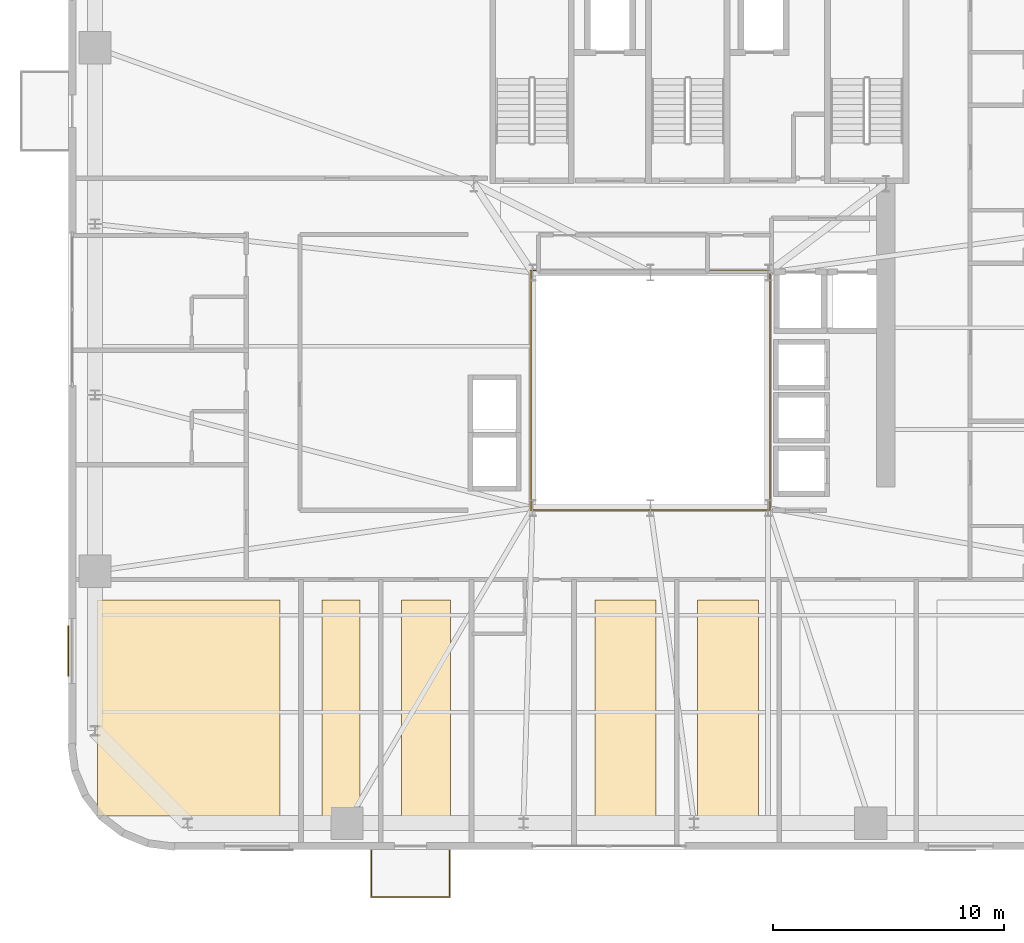
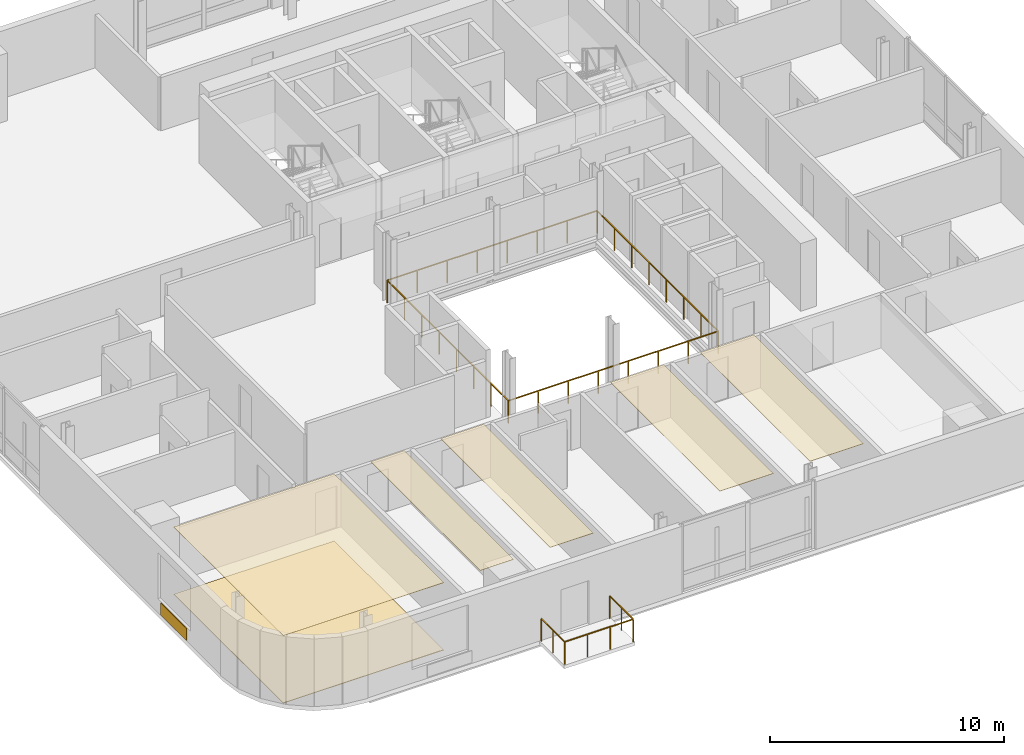
# One storey, part 12 of 16: 7 coverings, 2 railings.
"""IFC4 building model written with IfcOpenShell, lengths in metres."""

from ifc_helpers import new_model, si_unit, direction, frame, origin, origin_2d, place, context, subcontext, project, spatial, polyline, rectangle, outline, extrude, source, transform, mapped, material, layer, layer_set, type_object, element, save


model = new_model("IFC4")

# Units and contexts
model_context = context("Model", 3, precision=1e-05, world=origin(), true_north=direction((0.0, 1.0)))
body_context = subcontext(model_context, "Body", "Model", "MODEL_VIEW")
ifc_project = project(units=[si_unit("LENGTHUNIT", "METRE"), si_unit("AREAUNIT", "SQUARE_METRE"), si_unit("VOLUMEUNIT", "CUBIC_METRE"), si_unit("PLANEANGLEUNIT", "RADIAN"), si_unit("MASSUNIT", "GRAM", prefix="KILO")], contexts=[model_context])

# Site, building, storey
site_placement = place(None, origin())
site = spatial("IfcSite", under=ifc_project, at=site_placement, CompositionType="ELEMENT")
building_placement = place(site_placement, origin())
building = spatial("IfcBuilding", under=site, at=building_placement, Name="Vardaveli Station Tower", CompositionType="ELEMENT")
storey_placement = place(building_placement, frame((0.0, 0.0, 211.050048828125)))
storey = spatial("IfcBuildingStorey", under=building, at=storey_placement, Name="L54", CompositionType="ELEMENT", Elevation=211.050048828125)

# Coverings
ifc_material_1 = material(Name="Perforated acoustic mineral ceiling")
ifc_layer_1 = layer(ifc_material_1, 0.02001953125, Name="Perforated acoustic mineral ceiling")
ifc_layer_set_1 = layer_set([ifc_layer_1], Name="Perforated acoustic mineral ceiling")
covering_type_1 = type_object("IfcCoveringType", Name="COV-CEIL-AC20", PredefinedType="CEILING", material=ifc_layer_set_1)
covering_1_placement = place(storey_placement, frame((0.0, 0.0, 3.514892578125)))
element("IfcCovering", 1, at=covering_1_placement, inside=storey, type_object=covering_type_1, Name="CEIL-L54-1", PredefinedType="CEILING", context=body_context, shape_type="SweptSolid", body=[
    extrude(outline(polyline([(12.35009765625, 3.25), (20.27001953125, 3.25), (20.27001953125, 12.610107421875), (12.35009765625, 12.610107421875), (12.35009765625, 3.25)])), origin(), (0.0, 0.0, 1.0), 0.02001953125),
])
covering_2_placement = place(storey_placement, frame((0.0, 0.0, 3.514892578125)))
element("IfcCovering", 2, at=covering_2_placement, inside=storey, type_object=covering_type_1, Name="CEIL-L54-2", PredefinedType="CEILING", context=body_context, shape_type="SweptSolid", body=[
    extrude(outline(polyline([(22.070068359375, 3.25), (23.719970703125, 3.25), (23.719970703125, 12.610107421875), (22.070068359375, 12.610107421875), (22.070068359375, 3.25)])), origin(), (0.0, 0.0, 1.0), 0.02001953125),
])
covering_3_placement = place(storey_placement, frame((0.0, 0.0, 3.514892578125)))
element("IfcCovering", 3, at=covering_3_placement, inside=storey, type_object=covering_type_1, Name="CEIL-L54-3", PredefinedType="CEILING", context=body_context, shape_type="SweptSolid", body=[
    extrude(outline(polyline([(25.52001953125, 3.25), (27.6533203125, 3.25), (27.6533203125, 12.610107421875), (25.52001953125, 12.610107421875), (25.52001953125, 3.25)])), origin(), (0.0, 0.0, 1.0), 0.02001953125),
])
covering_4_placement = place(storey_placement, frame((0.0, 0.0, 3.514892578125)))
element("IfcCovering", 4, at=covering_4_placement, inside=storey, type_object=covering_type_1, Name="CEIL-L54-4", PredefinedType="CEILING", context=body_context, shape_type="SweptSolid", body=[
    extrude(outline(polyline([(33.89501953125, 3.25), (36.53662109375, 3.25), (36.53662109375, 12.610107421875), (33.89501953125, 12.610107421875), (33.89501953125, 3.25)])), origin(), (0.0, 0.0, 1.0), 0.02001953125),
])
covering_5_placement = place(storey_placement, frame((0.0, 0.0, 3.514892578125)))
element("IfcCovering", 5, at=covering_5_placement, inside=storey, type_object=covering_type_1, Name="CEIL-L54-5", PredefinedType="CEILING", context=body_context, shape_type="SweptSolid", body=[
    extrude(outline(polyline([(38.336669921875, 3.25), (40.978271484375, 3.25), (40.978271484375, 12.610107421875), (38.336669921875, 12.610107421875), (38.336669921875, 3.25)])), origin(), (0.0, 0.0, 1.0), 0.02001953125),
])
ifc_material_2 = material(Name="Honed Caucasian basalt and travertine flooring", Category="masonry")
ifc_layer_2 = layer(ifc_material_2, 0.030029296875, Name="Honed Caucasian basalt and travertine flooring")
ifc_layer_set_2 = layer_set([ifc_layer_2], Name="Honed Caucasian basalt and travertine flooring")
covering_type_2 = type_object("IfcCoveringType", Name="COV-FLOOR-ST30", PredefinedType="FLOORING", material=ifc_layer_set_2)
covering_6_placement = place(storey_placement, origin())
element("IfcCovering", 6, at=covering_6_placement, inside=storey, type_object=covering_type_2, Name="FLR-L54-1", PredefinedType="FLOORING", context=body_context, shape_type="SweptSolid", body=[
    extrude(outline(polyline([(12.35009765625, 3.25), (20.27001953125, 3.25), (20.27001953125, 12.610107421875), (12.35009765625, 12.610107421875), (12.35009765625, 3.25)])), origin(), (0.0, 0.0, 1.0), 0.030029296875),
])
ifc_material_3 = material(Name="Ventilated honed travertine stone cladding", Category="masonry")
ifc_layer_3 = layer(ifc_material_3, 0.044921875, Name="Ventilated honed travertine stone cladding")
ifc_layer_set_3 = layer_set([ifc_layer_3], Name="Ventilated honed travertine stone cladding")
covering_type_3 = type_object("IfcCoveringType", Name="COV-CLAD-TR45", PredefinedType="CLADDING", material=ifc_layer_set_3)
shared_shape_1 = source(origin(), body_context, "Body", "SweptSolid", [
    extrude(rectangle(XDim=2.199951171875, YDim=0.044921875, at=origin_2d()), origin(), (0.0, 0.0, 1.0), 0.6201171875),
])
covering_7_placement = place(storey_placement, frame((11.08544921875, 10.405029296875, 0.06982421875), z_axis=(0.0, 0.0, 1.0), x_axis=(0.0, 1.0, 0.0)))
element("IfcCovering", 7, at=covering_7_placement, inside=storey, type_object=covering_type_3, Name="CLD-TR-L54-W", PredefinedType="CLADDING", context=body_context, shape_type="MappedRepresentation", body=[
    mapped(shared_shape_1, transform((0.0, 0.0, 0.0), scale=1.0)),
])

# Railings
ifc_material_4 = material(Name="Laminated glass and stainless steel balustrade", Category="steel")
railing_type = type_object("IfcRailingType", Name="RL-BAL-1200", PredefinedType="BALUSTRADE", material=ifc_material_4)
shared_shape_2 = source(origin(), body_context, "Body", "SweptSolid", [
    extrude(rectangle(XDim=0.048095703125, YDim=0.048095703125, at=origin_2d()), frame((0.0, 0.0, 1.17578125), z_axis=(0.0, -1.0, 0.0), x_axis=(1.0, 0.0, 0.0)), (0.0, 0.0, 1.0), 2.0),
    extrude(rectangle(XDim=0.048095703125, YDim=0.048095703125, at=origin_2d()), frame((0.0, -2.0, 1.17578125), z_axis=(1.0, 0.0, 0.0), x_axis=(0.0, 1.0, 0.0)), (0.0, 0.0, 1.0), 3.3798828125),
    extrude(rectangle(XDim=0.048095703125, YDim=0.048095703125, at=origin_2d()), frame((3.3798828125, -2.0, 1.17578125), z_axis=(0.0, 1.0, 0.0), x_axis=(-1.0, 0.0, 0.0)), (0.0, 0.0, 1.0), 2.0),
    extrude(rectangle(XDim=0.0419921875, YDim=0.0419921875, at=origin_2d()), origin(), (0.0, 0.0, 1.0), 1.15185546875),
    extrude(rectangle(XDim=0.0419921875, YDim=0.0419921875, at=origin_2d()), frame((0.0, -1.0, 0.0)), (0.0, 0.0, 1.0), 1.15185546875),
    extrude(rectangle(XDim=0.0419921875, YDim=0.0419921875, at=origin_2d()), frame((0.0, -2.0, 0.0)), (0.0, 0.0, 1.0), 1.15185546875),
    extrude(rectangle(XDim=0.0419921875, YDim=0.0419921875, at=origin_2d()), frame((1.126708984375, -2.0, 0.0)), (0.0, 0.0, 1.0), 1.15185546875),
    extrude(rectangle(XDim=0.0419921875, YDim=0.0419921875, at=origin_2d()), frame((2.253173828125, -2.0, 0.0)), (0.0, 0.0, 1.0), 1.15185546875),
    extrude(rectangle(XDim=0.0419921875, YDim=0.0419921875, at=origin_2d()), frame((3.3798828125, -2.0, 0.0)), (0.0, 0.0, 1.0), 1.15185546875),
    extrude(rectangle(XDim=0.0419921875, YDim=0.0419921875, at=origin_2d()), frame((3.3798828125, -1.0, 0.0)), (0.0, 0.0, 1.0), 1.15185546875),
    extrude(rectangle(XDim=0.0419921875, YDim=0.0419921875, at=origin_2d()), frame((3.3798828125, 0.0, 0.0)), (0.0, 0.0, 1.0), 1.15185546875),
])
railing_1_placement = place(storey_placement, frame((24.220458984375, 1.760009765625, 0.0)))
element("IfcRailing", 8, at=railing_1_placement, inside=storey, type_object=railing_type, Name="RL-LOG-L54-01", PredefinedType="BALUSTRADE", context=body_context, shape_type="MappedRepresentation", body=[
    mapped(shared_shape_2, transform((0.0, 0.0, 0.0), scale=1.0)),
])
shared_shape_3 = source(origin(), body_context, "Body", "SweptSolid", [
    extrude(rectangle(XDim=0.048095703125, YDim=0.048095703125, at=origin_2d()), frame((0.0, 0.0, 1.17578125), z_axis=(1.0, 0.0, 0.0), x_axis=(0.0, 1.0, 0.0)), (0.0, 0.0, 1.0), 10.35986328125),
    extrude(rectangle(XDim=0.048095703125, YDim=0.048095703125, at=origin_2d()), frame((10.35986328125, 0.0, 1.17578125), z_axis=(0.0, 1.0, 0.0), x_axis=(-1.0, 0.0, 0.0)), (0.0, 0.0, 1.0), 10.35986328125),
    extrude(rectangle(XDim=0.048095703125, YDim=0.048095703125, at=origin_2d()), frame((10.35986328125, 10.35986328125, 1.17578125), z_axis=(-1.0, 0.0, 0.0), x_axis=(0.0, -1.0, 0.0)), (0.0, 0.0, 1.0), 10.35986328125),
    extrude(rectangle(XDim=0.048095703125, YDim=0.048095703125, at=origin_2d()), frame((0.0, 10.35986328125, 1.17578125), z_axis=(0.0, -1.0, 0.0), x_axis=(1.0, 0.0, 0.0)), (0.0, 0.0, 1.0), 10.35986328125),
    extrude(rectangle(XDim=0.0419921875, YDim=0.0419921875, at=origin_2d()), origin(), (0.0, 0.0, 1.0), 1.15185546875),
    extrude(rectangle(XDim=0.0419921875, YDim=0.0419921875, at=origin_2d()), frame((1.47998046875, 0.0, 0.0)), (0.0, 0.0, 1.0), 1.15185546875),
    extrude(rectangle(XDim=0.0419921875, YDim=0.0419921875, at=origin_2d()), frame((2.9599609375, 0.0, 0.0)), (0.0, 0.0, 1.0), 1.15185546875),
    extrude(rectangle(XDim=0.0419921875, YDim=0.0419921875, at=origin_2d()), frame((4.43994140625, 0.0, 0.0)), (0.0, 0.0, 1.0), 1.15185546875),
    extrude(rectangle(XDim=0.0419921875, YDim=0.0419921875, at=origin_2d()), frame((5.919921875, 0.0, 0.0)), (0.0, 0.0, 1.0), 1.15185546875),
    extrude(rectangle(XDim=0.0419921875, YDim=0.0419921875, at=origin_2d()), frame((7.39990234375, 0.0, 0.0)), (0.0, 0.0, 1.0), 1.15185546875),
    extrude(rectangle(XDim=0.0419921875, YDim=0.0419921875, at=origin_2d()), frame((8.8798828125, 0.0, 0.0)), (0.0, 0.0, 1.0), 1.15185546875),
    extrude(rectangle(XDim=0.0419921875, YDim=0.0419921875, at=origin_2d()), frame((10.35986328125, 0.0, 0.0)), (0.0, 0.0, 1.0), 1.15185546875),
    extrude(rectangle(XDim=0.0419921875, YDim=0.0419921875, at=origin_2d()), frame((10.35986328125, 1.47998046875, 0.0)), (0.0, 0.0, 1.0), 1.15185546875),
    extrude(rectangle(XDim=0.0419921875, YDim=0.0419921875, at=origin_2d()), frame((10.35986328125, 2.9599609375, 0.0)), (0.0, 0.0, 1.0), 1.15185546875),
    extrude(rectangle(XDim=0.0419921875, YDim=0.0419921875, at=origin_2d()), frame((10.35986328125, 4.43994140625, 0.0)), (0.0, 0.0, 1.0), 1.15185546875),
    extrude(rectangle(XDim=0.0419921875, YDim=0.0419921875, at=origin_2d()), frame((10.35986328125, 5.919921875, 0.0)), (0.0, 0.0, 1.0), 1.15185546875),
    extrude(rectangle(XDim=0.0419921875, YDim=0.0419921875, at=origin_2d()), frame((10.35986328125, 7.39990234375, 0.0)), (0.0, 0.0, 1.0), 1.15185546875),
    extrude(rectangle(XDim=0.0419921875, YDim=0.0419921875, at=origin_2d()), frame((10.35986328125, 8.8798828125, 0.0)), (0.0, 0.0, 1.0), 1.15185546875),
    extrude(rectangle(XDim=0.0419921875, YDim=0.0419921875, at=origin_2d()), frame((10.35986328125, 10.35986328125, 0.0)), (0.0, 0.0, 1.0), 1.15185546875),
    extrude(rectangle(XDim=0.0419921875, YDim=0.0419921875, at=origin_2d()), frame((8.8798828125, 10.35986328125, 0.0)), (0.0, 0.0, 1.0), 1.15185546875),
    extrude(rectangle(XDim=0.0419921875, YDim=0.0419921875, at=origin_2d()), frame((7.39990234375, 10.35986328125, 0.0)), (0.0, 0.0, 1.0), 1.15185546875),
    extrude(rectangle(XDim=0.0419921875, YDim=0.0419921875, at=origin_2d()), frame((5.919921875, 10.35986328125, 0.0)), (0.0, 0.0, 1.0), 1.15185546875),
    extrude(rectangle(XDim=0.0419921875, YDim=0.0419921875, at=origin_2d()), frame((4.43994140625, 10.35986328125, 0.0)), (0.0, 0.0, 1.0), 1.15185546875),
    extrude(rectangle(XDim=0.0419921875, YDim=0.0419921875, at=origin_2d()), frame((2.9599609375, 10.35986328125, 0.0)), (0.0, 0.0, 1.0), 1.15185546875),
    extrude(rectangle(XDim=0.0419921875, YDim=0.0419921875, at=origin_2d()), frame((1.47998046875, 10.35986328125, 0.0)), (0.0, 0.0, 1.0), 1.15185546875),
    extrude(rectangle(XDim=0.0419921875, YDim=0.0419921875, at=origin_2d()), frame((0.0, 10.35986328125, 0.0)), (0.0, 0.0, 1.0), 1.15185546875),
    extrude(rectangle(XDim=0.0419921875, YDim=0.0419921875, at=origin_2d()), frame((0.0, 8.8798828125, 0.0)), (0.0, 0.0, 1.0), 1.15185546875),
    extrude(rectangle(XDim=0.0419921875, YDim=0.0419921875, at=origin_2d()), frame((0.0, 7.39990234375, 0.0)), (0.0, 0.0, 1.0), 1.15185546875),
    extrude(rectangle(XDim=0.0419921875, YDim=0.0419921875, at=origin_2d()), frame((0.0, 5.919921875, 0.0)), (0.0, 0.0, 1.0), 1.15185546875),
    extrude(rectangle(XDim=0.0419921875, YDim=0.0419921875, at=origin_2d()), frame((0.0, 4.43994140625, 0.0)), (0.0, 0.0, 1.0), 1.15185546875),
    extrude(rectangle(XDim=0.0419921875, YDim=0.0419921875, at=origin_2d()), frame((0.0, 2.9599609375, 0.0)), (0.0, 0.0, 1.0), 1.15185546875),
    extrude(rectangle(XDim=0.0419921875, YDim=0.0419921875, at=origin_2d()), frame((0.0, 1.47998046875, 0.0)), (0.0, 0.0, 1.0), 1.15185546875),
])
railing_2_placement = place(storey_placement, frame((31.1201171875, 16.52001953125, 0.0)))
element("IfcRailing", 9, at=railing_2_placement, inside=storey, type_object=railing_type, Name="RL-ATR-L54", PredefinedType="BALUSTRADE", context=body_context, shape_type="MappedRepresentation", body=[
    mapped(shared_shape_3, transform((0.0, 0.0, 0.0), scale=1.0)),
])

save(model, "model.ifc")
